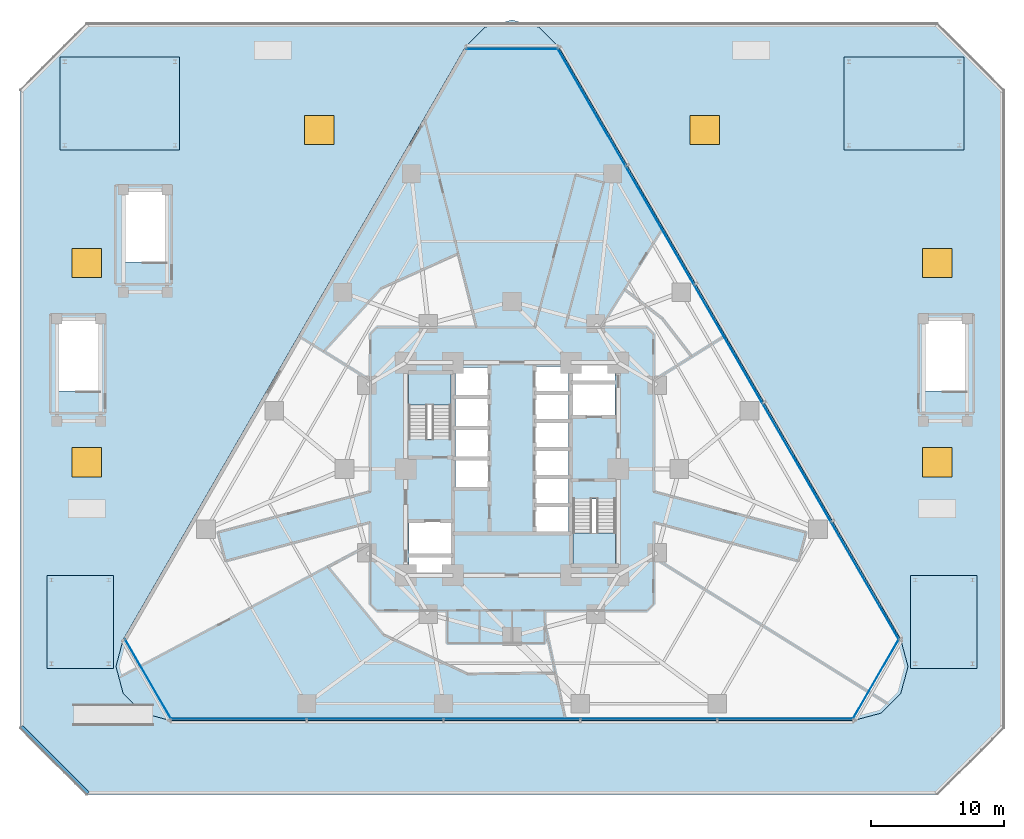
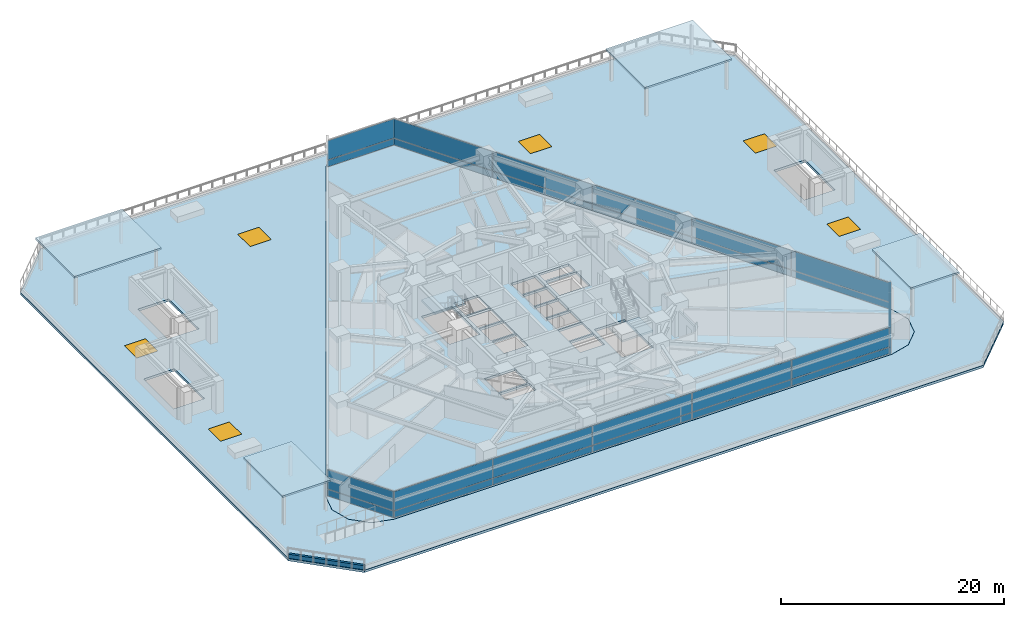
# One storey, part 14 of 23: 26 plates, 8 slabs, 6 windows, 1 wall, 6 openings, 7 elements without a shape of their own.
"""IFC4 building model written with IfcOpenShell, lengths in metres."""

import ifcopenshell
import ifcopenshell.guid

model = None  # the IFC model being written
_history = None  # IfcOwnerHistory: only IFC2X3 demands one
_inside = {}  # id of a spatial element -> (the spatial element, [elements in it])
_under = {}  # id of a project, library or spatial element -> (it, [spatial elements below it])
_declared = {}  # id of a project -> (the project, [libraries it declares])
_typed = {}  # id of a type object -> (the type object, [elements of that type])
_made_of = {}  # id of a material, layer set ... -> (it, [elements and type objects made of it])


def new_model(schema):
    """Start an empty IFC model of exactly this schema.

    Asked for "IFC4X3", IfcOpenShell would pick the latest addendum, in which some entities
    have other attributes; the version numbers below select the first issue.
    IFC2X3 requires an IfcOwnerHistory on every rooted entity: one is made here for all.
    """
    global model, _history
    if schema == "IFC4X3":
        model = ifcopenshell.file(schema_version=(4, 3, 0, 0))
    else:
        model = ifcopenshell.file(schema=schema)
    _inside.clear()
    _under.clear()
    _declared.clear()
    _typed.clear()
    _made_of.clear()
    _history = None
    if model.schema == "IFC2X3":
        org = make("IfcOrganization", Name="unknown")
        user = make(
            "IfcPersonAndOrganization",
            ThePerson=make("IfcPerson", FamilyName="unknown"),
            TheOrganization=org,
        )
        app = make(
            "IfcApplication",
            ApplicationDeveloper=org,
            Version="unknown",
            ApplicationFullName="unknown",
            ApplicationIdentifier="unknown",
        )
        _history = make(
            "IfcOwnerHistory",
            OwningUser=user,
            OwningApplication=app,
            ChangeAction="ADDED",
            CreationDate=0,
        )
    return model


def make(cls, **values):
    """One entity of the class cls with the attributes given. An attribute that is None is left unset."""
    return model.create_entity(
        cls, **{name: value for name, value in values.items() if value is not None}
    )


def rooted(cls, **values):
    """An entity with a GlobalId (a new one), such as an element, a storey or a relation."""
    return make(cls, GlobalId=ifcopenshell.guid.new(), OwnerHistory=_history, **values)


def si_unit(unit_type, name, prefix=None):
    """IfcSIUnit, for example si_unit("LENGTHUNIT", "METRE", prefix="MILLI")."""
    return make("IfcSIUnit", UnitType=unit_type, Prefix=prefix, Name=name)


def assignment(units):
    """IfcUnitAssignment: the units of a project."""
    return None if units is None else make("IfcUnitAssignment", Units=units)


def point(xyz):
    """IfcCartesianPoint."""
    return None if xyz is None else make("IfcCartesianPoint", Coordinates=xyz)


def direction(xyz):
    """IfcDirection."""
    return None if xyz is None else make("IfcDirection", DirectionRatios=xyz)


def frame(location, z_axis=None, x_axis=None):
    """IfcAxis2Placement3D, a coordinate frame: its origin and axes. An axis left out is left unset."""
    return make(
        "IfcAxis2Placement3D",
        Location=point(location),
        Axis=direction(z_axis),
        RefDirection=direction(x_axis),
    )


def frame_2d(location, x_axis=None):
    """IfcAxis2Placement2D, a coordinate frame in the plane: its origin and x axis."""
    return make(
        "IfcAxis2Placement2D", Location=point(location), RefDirection=direction(x_axis)
    )


def origin():
    """The frame at (0, 0, 0) with its axes left unset."""
    return frame((0.0, 0.0, 0.0))


def origin_2d():
    """The frame at (0, 0) in the plane with its x axis left unset."""
    return frame_2d((0.0, 0.0))


def place(relative_to, where):
    """IfcLocalPlacement: puts the frame where relative to a parent placement (None: the world)."""
    return make(
        "IfcLocalPlacement", PlacementRelTo=relative_to, RelativePlacement=where
    )


def context(
    kind, dimensions, precision=None, world=None, true_north=None, identifier=None
):
    """IfcGeometricRepresentationContext, for example the 3D "Model" context."""
    return make(
        "IfcGeometricRepresentationContext",
        ContextIdentifier=identifier,
        ContextType=kind,
        CoordinateSpaceDimension=dimensions,
        Precision=precision,
        WorldCoordinateSystem=world,
        TrueNorth=true_north,
    )


def subcontext(parent, identifier, kind, view, scale=None):
    """IfcGeometricRepresentationSubContext, for example "Body" below "Model"."""
    return make(
        "IfcGeometricRepresentationSubContext",
        ContextIdentifier=identifier,
        ContextType=kind,
        ParentContext=parent,
        TargetScale=scale,
        TargetView=view,
    )


def project(units=None, contexts=None):
    """IfcProject with its units and contexts."""
    return rooted(
        "IfcProject",
        Name="project",
        RepresentationContexts=contexts,
        UnitsInContext=assignment(units),
    )


def spatial(cls, under=None, at=None, **own):
    """A site, building, storey or space (cls), placed at a placement, below another one or the project."""
    s = rooted(cls, ObjectPlacement=at, **own)
    if under is not None:
        _under.setdefault(under.id(), (under, []))[1].append(s)
    return s


def polyline(points):
    """IfcPolyline through the points."""
    return make("IfcPolyline", Points=[point(p) for p in points])


def profile(cls, at=None, kind="AREA", **sizes):
    """A parametric profile (cls). Its sizes go by their IFC names, for example OverallWidth=200.0."""
    return make(cls, ProfileType=kind, Position=at, **sizes)


def rectangle(**sizes):
    """IfcRectangleProfileDef."""
    return profile("IfcRectangleProfileDef", **sizes)


def outline(outer, holes=None, kind="AREA"):
    """IfcArbitraryClosedProfileDef: a profile drawn as a closed curve; with holes, ...WithVoids."""
    if holes is None:
        return make("IfcArbitraryClosedProfileDef", ProfileType=kind, OuterCurve=outer)
    return make(
        "IfcArbitraryProfileDefWithVoids",
        ProfileType=kind,
        OuterCurve=outer,
        InnerCurves=holes,
    )


def extrude(swept, where, along, depth):
    """IfcExtrudedAreaSolid: the profile swept, set in the frame where, extruded along a direction by depth."""
    return make(
        "IfcExtrudedAreaSolid",
        SweptArea=swept,
        Position=where,
        ExtrudedDirection=direction(along),
        Depth=depth,
    )


def shape(context_of_items, identifier, shape_type, items):
    """IfcShapeRepresentation: the items that make up one representation, for example the "Body"."""
    return make(
        "IfcShapeRepresentation",
        ContextOfItems=context_of_items,
        RepresentationIdentifier=identifier,
        RepresentationType=shape_type,
        Items=items,
    )


def material(Name=None, Category=None):
    """IfcMaterial."""
    return make("IfcMaterial", Name=Name, Category=Category)


def layer(
    of_material, thickness, ventilated=None, Name=None, Category=None, Priority=None
):
    """IfcMaterialLayer: one layer of a wall or slab, of a material (None: an air gap)."""
    return make(
        "IfcMaterialLayer",
        Material=of_material,
        LayerThickness=thickness,
        IsVentilated=ventilated,
        Name=Name,
        Category=Category,
        Priority=Priority,
    )


def layer_set(layers, Name=None):
    """IfcMaterialLayerSet."""
    return make("IfcMaterialLayerSet", MaterialLayers=layers, LayerSetName=Name)


def made_of(thing, what):
    """Note that an element or type object is made of a material, layer set ...; save() writes the relation."""
    if what is not None:
        _made_of.setdefault(what.id(), (what, []))[1].append(thing)
    return thing


def type_object(cls, material=None, **own):
    """A type object (cls), such as IfcWallType, which elements share."""
    return made_of(rooted(cls, **own), material)


def element(
    cls,
    number,
    at=None,
    inside=None,
    cuts=None,
    type_object=None,
    material=None,
    context=None,
    identifier="Body",
    shape_type=None,
    held_by="IfcProductDefinitionShape",
    body=None,
    shapes=None,
    **own,
):
    """One element of the class cls, such as IfcWall. Its Tag is "e" and its number.

    at: its placement. inside: the storey or other place that contains it. cuts: it is an
    opening in that element (IfcRelVoidsElement). A single representation is given by context,
    identifier, shape_type and body (its items); several are given by shapes. held_by: the class
    of the entity that holds the representations. save() writes the other relations.
    """
    e = rooted(cls, Tag="e%d" % number, ObjectPlacement=at, **own)
    if body is not None:
        shapes = [shape(context, identifier, shape_type, body)]
    if shapes is not None:
        e.Representation = make(held_by, Representations=shapes)
    if inside is not None:
        _inside.setdefault(inside.id(), (inside, []))[1].append(e)
    if cuts is not None:
        rooted(
            "IfcRelVoidsElement", RelatingBuildingElement=cuts, RelatedOpeningElement=e
        )
    if type_object is not None:
        _typed.setdefault(type_object.id(), (type_object, []))[1].append(e)
    return made_of(e, material)


def fill(opening, filler):
    """IfcRelFillsElement: the door or window that sits in an opening."""
    return rooted(
        "IfcRelFillsElement",
        RelatingOpeningElement=opening,
        RelatedBuildingElement=filler,
    )


def aggregate(whole, parts):
    """IfcRelAggregates: a whole, such as a stair, and the parts it consists of."""
    return rooted("IfcRelAggregates", RelatingObject=whole, RelatedObjects=parts)


def save(model, path):
    """Write the relations noted so far, then the file.

    IfcRelAggregates (storeys below a building ...), IfcRelContainedInSpatialStructure (elements
    in a storey), IfcRelDefinesByType, IfcRelAssociatesMaterial and IfcRelDeclares: one each for
    every whole, place, type object, material and project.
    """
    for whole, parts in _under.values():
        aggregate(whole, parts)
    for where, things in _inside.values():
        rooted(
            "IfcRelContainedInSpatialStructure",
            RelatedElements=things,
            RelatingStructure=where,
        )
    for kind, things in _typed.values():
        rooted("IfcRelDefinesByType", RelatedObjects=things, RelatingType=kind)
    for what, things in _made_of.values():
        rooted("IfcRelAssociatesMaterial", RelatedObjects=things, RelatingMaterial=what)
    for by, libraries in _declared.values():
        rooted("IfcRelDeclares", RelatingContext=by, RelatedDefinitions=libraries)
    model.write(path)


model = new_model("IFC4")

# Units and contexts
model_context = context("Model", 3, precision=1e-05, world=origin(), true_north=direction((0.0, 1.0)))
body_context = subcontext(model_context, "Body", "Model", "MODEL_VIEW")
ifc_project = project(units=[si_unit("LENGTHUNIT", "METRE"), si_unit("AREAUNIT", "SQUARE_METRE"), si_unit("VOLUMEUNIT", "CUBIC_METRE"), si_unit("PLANEANGLEUNIT", "RADIAN"), si_unit("MASSUNIT", "GRAM", prefix="KILO")], contexts=[model_context])

# Site, building, storey
site_placement = place(None, origin())
site = spatial("IfcSite", under=ifc_project, at=site_placement, CompositionType="ELEMENT")
building_placement = place(site_placement, origin())
building = spatial("IfcBuilding", under=site, at=building_placement, Name="Terralouvre Media Tower", CompositionType="ELEMENT")
storey_placement = place(building_placement, frame((0.0, 0.0, 26.0)))
storey = spatial("IfcBuildingStorey", under=building, at=storey_placement, Name="L05", CompositionType="ELEMENT", Elevation=26.0)

# Slabs
ifc_material_1 = material(Name="Extruded terracotta baguette sunshade louvres", Category="masonry")
ifc_layer_1 = layer(ifc_material_1, 0.199951171875, Name="Podium Garden Pergola Pavilion Roof Slab RF-PAV1")
ifc_layer_set_1 = layer_set([ifc_layer_1], Name="Extruded terracotta baguette sunshade louvres")
slab_type_1 = type_object("IfcSlabType", Name="Podium Garden Pergola Pavilion Roof Slab RF-PAV1", PredefinedType="ROOF", material=ifc_layer_set_1)
slab_1_placement = place(storey_placement, frame((0.0, 0.0, 3.199951171875)))
element("IfcSlab", 1, at=slab_1_placement, inside=storey, type_object=slab_type_1, Name="West Garden Terracotta Pergola Roof", PredefinedType="ROOF", context=body_context, shape_type="SweptSolid", body=[
    extrude(outline(polyline([(-35.0, -15.0), (-30.0, -15.0), (-30.0, -8.0), (-35.0, -8.0), (-35.0, -15.0)])), origin(), (0.0, 0.0, 1.0), 0.199951171875),
])
slab_2_placement = place(storey_placement, frame((0.0, 0.0, 3.199951171875)))
element("IfcSlab", 2, at=slab_2_placement, inside=storey, type_object=slab_type_1, Name="East Garden Terracotta Pergola Roof", PredefinedType="ROOF", context=body_context, shape_type="SweptSolid", body=[
    extrude(outline(polyline([(30.0, -15.0), (35.0, -15.0), (35.0, -8.0), (30.0, -8.0), (30.0, -15.0)])), origin(), (0.0, 0.0, 1.0), 0.199951171875),
])
slab_3_placement = place(storey_placement, frame((0.0, 0.0, 3.199951171875)))
element("IfcSlab", 3, at=slab_3_placement, inside=storey, type_object=slab_type_1, Name="North-West Garden Pergola Roof", PredefinedType="ROOF", context=body_context, shape_type="SweptSolid", body=[
    extrude(outline(polyline([(-34.0, 24.0), (-25.0, 24.0), (-25.0, 31.0), (-34.0, 31.0), (-34.0, 24.0)])), origin(), (0.0, 0.0, 1.0), 0.199951171875),
])
slab_4_placement = place(storey_placement, frame((0.0, 0.0, 3.199951171875)))
element("IfcSlab", 4, at=slab_4_placement, inside=storey, type_object=slab_type_1, Name="North-East Garden Pergola Roof", PredefinedType="ROOF", context=body_context, shape_type="SweptSolid", body=[
    extrude(outline(polyline([(25.0, 24.0), (34.0, 24.0), (34.0, 31.0), (25.0, 31.0), (25.0, 24.0)])), origin(), (0.0, 0.0, 1.0), 0.199951171875),
])

# Slab, openings, windows
ifc_material_2 = material(Name="Concrete C45/55", Category="concrete")
ifc_layer_2 = layer(ifc_material_2, 0.260009765625, Name="Raised Podium and Conservatory Roof Garden Slab S-RFG260")
ifc_layer_set_2 = layer_set([ifc_layer_2], Name="Concrete C45/55")
slab_type_2 = type_object("IfcSlabType", Name="Raised Podium and Conservatory Roof Garden Slab S-RFG260", PredefinedType="ROOF", material=ifc_layer_set_2)
slab_5_placement = place(storey_placement, frame((0.0, 0.0, -0.260009765625)))
slab_5 = element("IfcSlab", 5, at=slab_5_placement, inside=storey, type_object=slab_type_2, Name="L05 Raised Public Tropical Garden Roof Slab", PredefinedType="ROOF", context=body_context, shape_type="SweptSolid", body=[
    extrude(outline(polyline([(37.0, -19.5), (37.0, 28.5), (32.0, 33.5), (1.06591796875, 33.5), (2.025634765625, 33.242919921875), (2.025634765625, 33.242919921875), (2.02587890625, 33.24267578125), (2.026123046875, 33.24267578125), (2.0263671875, 33.242431640625), (2.0263671875, 33.242431640625), (3.5087890625, 31.760009765625), (3.509033203125, 31.759765625), (3.509033203125, 31.759765625), (3.509033203125, 31.759521484375), (29.259033203125, -12.8408203125), (29.25927734375, -12.8408203125), (29.25927734375, -12.841064453125), (29.25927734375, -12.84130859375), (29.802001953125, -14.8662109375), (29.802001953125, -14.866455078125), (29.802001953125, -14.86669921875), (29.802001953125, -14.866943359375), (29.802001953125, -14.8671875), (29.802001953125, -14.8671875), (29.25927734375, -16.892333984375), (29.25927734375, -16.892578125), (29.25927734375, -16.892578125), (29.259033203125, -16.892822265625), (29.259033203125, -16.89306640625), (29.2587890625, -16.89306640625), (27.7763671875, -18.37548828125), (27.7763671875, -18.375732421875), (27.776123046875, -18.375732421875), (27.77587890625, -18.3759765625), (27.775634765625, -18.3759765625), (27.775634765625, -18.376220703125), (25.75048828125, -18.918701171875), (25.750244140625, -18.918701171875), (25.750244140625, -18.918701171875), (25.75, -18.918701171875), (-25.75, -18.918701171875), (-25.750244140625, -18.918701171875), (-25.750244140625, -18.918701171875), (-25.75048828125, -18.918701171875), (-27.775634765625, -18.376220703125), (-27.775634765625, -18.3759765625), (-27.77587890625, -18.3759765625), (-27.776123046875, -18.375732421875), (-27.7763671875, -18.375732421875), (-27.7763671875, -18.37548828125), (-29.2587890625, -16.89306640625), (-29.259033203125, -16.89306640625), (-29.259033203125, -16.892822265625), (-29.25927734375, -16.892578125), (-29.25927734375, -16.892578125), (-29.25927734375, -16.892333984375), (-29.802001953125, -14.8671875), (-29.802001953125, -14.8671875), (-29.802001953125, -14.866943359375), (-29.802001953125, -14.86669921875), (-29.802001953125, -14.866455078125), (-29.802001953125, -14.8662109375), (-29.25927734375, -12.84130859375), (-29.25927734375, -12.841064453125), (-29.25927734375, -12.8408203125), (-29.259033203125, -12.8408203125), (-3.509033203125, 31.759521484375), (-3.509033203125, 31.759765625), (-3.509033203125, 31.759765625), (-3.5087890625, 31.760009765625), (-2.0263671875, 33.242431640625), (-2.0263671875, 33.242431640625), (-2.026123046875, 33.24267578125), (-2.02587890625, 33.24267578125), (-2.025634765625, 33.242919921875), (-2.025634765625, 33.242919921875), (-1.06591796875, 33.5), (-32.0, 33.5), (-37.0, 28.5), (-37.0, -19.5), (-32.0, -24.5), (32.0, -24.5), (37.0, -19.5)]), holes=[polyline([(-34.199951171875, 11.25), (-31.0, 11.25), (-31.0, 5.875), (-34.199951171875, 5.875), (-34.199951171875, 11.25)]), polyline([(34.199951171875, 11.25), (34.199951171875, 5.875), (31.0, 5.875), (31.0, 11.25), (34.199951171875, 11.25)]), polyline([(-26.0, 15.574951171875), (-29.199951171875, 15.574951171875), (-29.199951171875, 20.949951171875), (-26.0, 20.949951171875), (-26.0, 15.574951171875)])]), origin(), (0.0, 0.0, 1.0), 0.260009765625),
])
opening_1_placement = place(slab_5_placement, frame((-32.0, 0.5, 0.0)))
opening_1 = element("IfcOpeningElement", 6, at=opening_1_placement, cuts=slab_5, Name="Opening SK-01", PredefinedType="OPENING", context=body_context, shape_type="SweptSolid", body=[
    extrude(rectangle(XDim=2.199951171875, YDim=2.199951171875, at=origin_2d()), origin(), (0.0, 0.0, 1.0), 0.260009765625),
])
opening_2_placement = place(slab_5_placement, frame((-32.0, 15.5, 0.0)))
opening_2 = element("IfcOpeningElement", 7, at=opening_2_placement, cuts=slab_5, Name="Opening SK-01", PredefinedType="OPENING", context=body_context, shape_type="SweptSolid", body=[
    extrude(rectangle(XDim=2.199951171875, YDim=2.199951171875, at=origin_2d()), origin(), (0.0, 0.0, 1.0), 0.260009765625),
])
opening_3_placement = place(slab_5_placement, frame((32.0, 0.5, 0.0)))
opening_3 = element("IfcOpeningElement", 8, at=opening_3_placement, cuts=slab_5, Name="Opening SK-01", PredefinedType="OPENING", context=body_context, shape_type="SweptSolid", body=[
    extrude(rectangle(XDim=2.199951171875, YDim=2.199951171875, at=origin_2d()), origin(), (0.0, 0.0, 1.0), 0.260009765625),
])
opening_4_placement = place(slab_5_placement, frame((32.0, 15.5, 0.0)))
opening_4 = element("IfcOpeningElement", 9, at=opening_4_placement, cuts=slab_5, Name="Opening SK-01", PredefinedType="OPENING", context=body_context, shape_type="SweptSolid", body=[
    extrude(rectangle(XDim=2.199951171875, YDim=2.199951171875, at=origin_2d()), origin(), (0.0, 0.0, 1.0), 0.260009765625),
])
opening_5_placement = place(slab_5_placement, frame((14.5, 25.5, 0.0)))
opening_5 = element("IfcOpeningElement", 10, at=opening_5_placement, cuts=slab_5, Name="Opening SK-01", PredefinedType="OPENING", context=body_context, shape_type="SweptSolid", body=[
    extrude(rectangle(XDim=2.199951171875, YDim=2.199951171875, at=origin_2d()), origin(), (0.0, 0.0, 1.0), 0.260009765625),
])
opening_6_placement = place(slab_5_placement, frame((-14.5, 25.5, 0.0)))
opening_6 = element("IfcOpeningElement", 11, at=opening_6_placement, cuts=slab_5, Name="Opening SK-01", PredefinedType="OPENING", context=body_context, shape_type="SweptSolid", body=[
    extrude(rectangle(XDim=2.199951171875, YDim=2.199951171875, at=origin_2d()), origin(), (0.0, 0.0, 1.0), 0.260009765625),
])
ifc_material_3 = material(Name="Low-iron laminated double glazing with solar-control coating", Category="glass")
window_type = type_object("IfcWindowType", Name="Podium Atrium Daylight Skylight SK-01", PartitioningType="SINGLE_PANEL", PredefinedType="SKYLIGHT", material=ifc_material_3)
window_1_placement = place(opening_1_placement, frame((0.0, 0.0, 0.2099609375)))
window_1 = element("IfcWindow", 12, at=window_1_placement, inside=storey, type_object=window_type, Name="Podium Garden Daylight Skylight 01", OverallHeight=2.199951171875, OverallWidth=2.199951171875, PartitioningType="SINGLE_PANEL", PredefinedType="SKYLIGHT", context=body_context, shape_type="SweptSolid", body=[
    extrude(rectangle(XDim=2.199951171875, YDim=2.199951171875, at=origin_2d()), origin(), (0.0, 0.0, 1.0), 0.050048828125),
])
fill(opening_1, window_1)
window_2_placement = place(opening_2_placement, frame((0.0, 0.0, 0.2099609375)))
window_2 = element("IfcWindow", 13, at=window_2_placement, inside=storey, type_object=window_type, Name="Podium Garden Daylight Skylight 02", OverallHeight=2.199951171875, OverallWidth=2.199951171875, PartitioningType="SINGLE_PANEL", PredefinedType="SKYLIGHT", context=body_context, shape_type="SweptSolid", body=[
    extrude(rectangle(XDim=2.199951171875, YDim=2.199951171875, at=origin_2d()), origin(), (0.0, 0.0, 1.0), 0.050048828125),
])
fill(opening_2, window_2)
window_3_placement = place(opening_3_placement, frame((0.0, 0.0, 0.2099609375)))
window_3 = element("IfcWindow", 14, at=window_3_placement, inside=storey, type_object=window_type, Name="Podium Garden Daylight Skylight 03", OverallHeight=2.199951171875, OverallWidth=2.199951171875, PartitioningType="SINGLE_PANEL", PredefinedType="SKYLIGHT", context=body_context, shape_type="SweptSolid", body=[
    extrude(rectangle(XDim=2.199951171875, YDim=2.199951171875, at=origin_2d()), origin(), (0.0, 0.0, 1.0), 0.050048828125),
])
fill(opening_3, window_3)
window_4_placement = place(opening_4_placement, frame((0.0, 0.0, 0.2099609375)))
window_4 = element("IfcWindow", 15, at=window_4_placement, inside=storey, type_object=window_type, Name="Podium Garden Daylight Skylight 04", OverallHeight=2.199951171875, OverallWidth=2.199951171875, PartitioningType="SINGLE_PANEL", PredefinedType="SKYLIGHT", context=body_context, shape_type="SweptSolid", body=[
    extrude(rectangle(XDim=2.199951171875, YDim=2.199951171875, at=origin_2d()), origin(), (0.0, 0.0, 1.0), 0.050048828125),
])
fill(opening_4, window_4)
window_5_placement = place(opening_5_placement, frame((0.0, 0.0, 0.2099609375)))
window_5 = element("IfcWindow", 16, at=window_5_placement, inside=storey, type_object=window_type, Name="Podium Garden Daylight Skylight 05", OverallHeight=2.199951171875, OverallWidth=2.199951171875, PartitioningType="SINGLE_PANEL", PredefinedType="SKYLIGHT", context=body_context, shape_type="SweptSolid", body=[
    extrude(rectangle(XDim=2.199951171875, YDim=2.199951171875, at=origin_2d()), origin(), (0.0, 0.0, 1.0), 0.050048828125),
])
fill(opening_5, window_5)
window_6_placement = place(opening_6_placement, frame((0.0, 0.0, 0.2099609375)))
window_6 = element("IfcWindow", 17, at=window_6_placement, inside=storey, type_object=window_type, Name="Podium Garden Daylight Skylight 06", OverallHeight=2.199951171875, OverallWidth=2.199951171875, PartitioningType="SINGLE_PANEL", PredefinedType="SKYLIGHT", context=body_context, shape_type="SweptSolid", body=[
    extrude(rectangle(XDim=2.199951171875, YDim=2.199951171875, at=origin_2d()), origin(), (0.0, 0.0, 1.0), 0.050048828125),
])
fill(opening_6, window_6)

# Stair, slab
ifc_material_4 = material(Name="Concrete C45/55", Category="concrete")
stair_type_1 = type_object("IfcStairType", Name="Dogleg Stair Assembly ST-01", PredefinedType="HALF_TURN_STAIR", material=ifc_material_4)
stair_1_placement = place(storey_placement, origin())
stair_1 = element("IfcStair", 18, at=stair_1_placement, inside=storey, type_object=stair_type_1, Name="L05 Core Pressurised Exit Stair ST-01", PredefinedType="HALF_TURN_STAIR")
ifc_material_5 = material(Name="Concrete C45/55", Category="concrete")
ifc_layer_3 = layer(ifc_material_5, 0.199951171875, Name="Reinforced Concrete Stair Half-Landing SL-LD1")
ifc_layer_set_3 = layer_set([ifc_layer_3], Name="Concrete C45/55")
slab_type_3 = type_object("IfcSlabType", Name="Reinforced Concrete Stair Half-Landing SL-LD1", PredefinedType="LANDING", material=ifc_layer_set_3)
slab_6_placement = place(storey_placement, frame((0.0, 0.0, 1.64990234375)))
slab_6 = element("IfcSlab", 19, at=slab_6_placement, type_object=slab_type_3, Name="ST-01 landing 1", PredefinedType="LANDING", context=body_context, shape_type="SweptSolid", body=[
    extrude(outline(polyline([(-4.60009765625, 4.820068359375), (-4.60009765625, 7.260009765625), (-7.780029296875, 7.260009765625), (-7.780029296875, 4.820068359375), (-4.60009765625, 4.820068359375)])), origin(), (0.0, 0.0, 1.0), 0.2001953125),
])
aggregate(stair_1, [slab_6])

ifc_material_6 = material(Name="Concrete C45/55", Category="concrete")
stair_type_2 = type_object("IfcStairType", Name="Dogleg Stair Assembly ST-02", PredefinedType="HALF_TURN_STAIR", material=ifc_material_6)
stair_2_placement = place(storey_placement, origin())
stair_2 = element("IfcStair", 20, at=stair_2_placement, inside=storey, type_object=stair_type_2, Name="L05 Core Pressurised Exit Stair ST-02", PredefinedType="HALF_TURN_STAIR")
slab_7_placement = place(storey_placement, frame((0.0, 0.0, 1.64990234375)))
slab_7 = element("IfcSlab", 21, at=slab_7_placement, type_object=slab_type_3, Name="ST-02 landing 1", PredefinedType="LANDING", context=body_context, shape_type="SweptSolid", body=[
    extrude(outline(polyline([(4.60009765625, -4.820068359375), (4.60009765625, -7.260009765625), (7.780029296875, -7.260009765625), (7.780029296875, -4.820068359375), (4.60009765625, -4.820068359375)])), origin(), (0.0, 0.0, 1.0), 0.2001953125),
])
aggregate(stair_2, [slab_7])

# Curtain wall, plates
ifc_material_7 = material(Name="Low-iron laminated double glazing with solar-control coating", Category="glass")
ifc_layer_4 = layer(ifc_material_7, 0.1650390625, Name="Rounded Wind-Corner Curved Glazing CW-04")
ifc_layer_set_4 = layer_set([ifc_layer_4], Name="Low-iron laminated double glazing with solar-control coating")
curtain_wall_type_1 = type_object("IfcCurtainWallType", Name="Rounded Wind-Corner Curved Glazing CW-04", PredefinedType="NOTDEFINED", material=ifc_layer_set_4)
curtain_wall_1_placement = place(storey_placement, origin())
curtain_wall_1 = element("IfcCurtainWall", 22, at=curtain_wall_1_placement, inside=storey, type_object=curtain_wall_type_1, Name="L05 Rounded Wind-Corner Curtain Wall C0", PredefinedType="NOTDEFINED")
ifc_material_8 = material(Name="Low-iron laminated double glazing with solar-control coating", Category="glass")
ifc_layer_5 = layer(ifc_material_8, 0.0400390625, Name="Rounded Corner Laminated Vision Panel CWP-03")
ifc_layer_set_5 = layer_set([ifc_layer_5], Name="Low-iron laminated double glazing with solar-control coating")
plate_type_1 = type_object("IfcPlateType", Name="Rounded Corner Laminated Vision Panel CWP-03", PredefinedType="CURTAIN_PANEL", material=ifc_layer_set_5)
plate_1_placement = place(storey_placement, frame((-27.382568359375, -15.809326171875, 0.074951171875), z_axis=(0.0, 0.0, 1.0), x_axis=(0.499999691503, -0.866025581895, 0.0)))
plate_1 = element("IfcPlate", 23, at=plate_1_placement, type_object=plate_type_1, Name="CW-04 panel 1.1", PredefinedType="CURTAIN_PANEL", context=body_context, shape_type="SweptSolid", body=[
    extrude(rectangle(XDim=6.86474609375, YDim=0.035888671875, at=origin_2d()), origin(), (0.0, 0.0, 1.0), 0.6875),
])
plate_2_placement = place(storey_placement, frame((-27.382568359375, -15.809326171875, 0.837646484375), z_axis=(0.0, 0.0, 1.0), x_axis=(0.499999691503, -0.866025581895, 0.0)))
plate_2 = element("IfcPlate", 24, at=plate_2_placement, type_object=plate_type_1, Name="CW-04 panel 1.2", PredefinedType="CURTAIN_PANEL", context=body_context, shape_type="SweptSolid", body=[
    extrude(rectangle(XDim=6.86474609375, YDim=0.035888671875, at=origin_2d()), origin(), (0.0, 0.0, 1.0), 2.08740234375),
])
aggregate(curtain_wall_1, [plate_1, plate_2])

curtain_wall_2_placement = place(storey_placement, origin())
curtain_wall_2 = element("IfcCurtainWall", 25, at=curtain_wall_2_placement, inside=storey, type_object=curtain_wall_type_1, Name="L05 Rounded Wind-Corner Curtain Wall C1", PredefinedType="NOTDEFINED")
plate_3_placement = place(storey_placement, frame((27.382568359375, -15.809326171875, 0.074951171875), z_axis=(0.0, 0.0, 1.0), x_axis=(0.499999691503, 0.866025581895, 0.0)))
plate_3 = element("IfcPlate", 26, at=plate_3_placement, type_object=plate_type_1, Name="CW-04 panel 1.1", PredefinedType="CURTAIN_PANEL", context=body_context, shape_type="SweptSolid", body=[
    extrude(rectangle(XDim=6.86474609375, YDim=0.035888671875, at=origin_2d()), origin(), (0.0, 0.0, 1.0), 0.6875),
])
plate_4_placement = place(storey_placement, frame((27.382568359375, -15.809326171875, 0.837646484375), z_axis=(0.0, 0.0, 1.0), x_axis=(0.499999691503, 0.866025581895, 0.0)))
plate_4 = element("IfcPlate", 27, at=plate_4_placement, type_object=plate_type_1, Name="CW-04 panel 1.2", PredefinedType="CURTAIN_PANEL", context=body_context, shape_type="SweptSolid", body=[
    extrude(rectangle(XDim=6.86474609375, YDim=0.035888671875, at=origin_2d()), origin(), (0.0, 0.0, 1.0), 2.08740234375),
])
aggregate(curtain_wall_2, [plate_3, plate_4])

curtain_wall_3_placement = place(storey_placement, origin())
curtain_wall_3 = element("IfcCurtainWall", 28, at=curtain_wall_3_placement, inside=storey, type_object=curtain_wall_type_1, Name="L05 Rounded Wind-Corner Curtain Wall C2", PredefinedType="NOTDEFINED")
plate_5_placement = place(storey_placement, frame((0.0, 31.61865234375, 0.074951171875), z_axis=(0.0, 0.0, 1.0), x_axis=(-1.0, 0.0, 0.0)))
plate_5 = element("IfcPlate", 29, at=plate_5_placement, type_object=plate_type_1, Name="CW-04 panel 1.1", PredefinedType="CURTAIN_PANEL", context=body_context, shape_type="SweptSolid", body=[
    extrude(rectangle(XDim=6.86474609375, YDim=0.035888671875, at=origin_2d()), origin(), (0.0, 0.0, 1.0), 0.6875),
])
plate_6_placement = place(storey_placement, frame((0.0, 31.61865234375, 0.837646484375), z_axis=(0.0, 0.0, 1.0), x_axis=(-1.0, 0.0, 0.0)))
plate_6 = element("IfcPlate", 30, at=plate_6_placement, type_object=plate_type_1, Name="CW-04 panel 1.2", PredefinedType="CURTAIN_PANEL", context=body_context, shape_type="SweptSolid", body=[
    extrude(rectangle(XDim=6.86474609375, YDim=0.035888671875, at=origin_2d()), origin(), (0.0, 0.0, 1.0), 2.08740234375),
])
aggregate(curtain_wall_3, [plate_5, plate_6])

# Slab
ifc_material_9 = material(Name="Concrete C45/55", Category="concrete")
ifc_layer_6 = layer(ifc_material_9, 0.260009765625, Name="Transfer Indoor Floor Slab S-TRN260")
ifc_layer_set_6 = layer_set([ifc_layer_6], Name="Concrete C45/55")
slab_type_4 = type_object("IfcSlabType", Name="Transfer Indoor Floor Slab S-TRN260", PredefinedType="FLOOR", material=ifc_layer_set_6)
slab_8_placement = place(storey_placement, frame((0.0, 0.0, -0.260009765625)))
element("IfcSlab", 31, at=slab_8_placement, inside=storey, type_object=slab_type_4, Name="L05 Structural Floor Slab", PredefinedType="FLOOR", context=body_context, shape_type="SweptSolid", body=[
    extrude(outline(polyline([(-29.25732421875, -12.841796875), (-29.800048828125, -14.86669921875), (-29.25732421875, -16.891845703125), (-27.77490234375, -18.374267578125), (-25.75, -18.916748046875), (25.75, -18.916748046875), (27.77490234375, -18.374267578125), (29.25732421875, -16.891845703125), (29.800048828125, -14.86669921875), (29.25732421875, -12.841796875), (3.50732421875, 31.758544921875), (2.02490234375, 33.240966796875), (0.0, 33.783447265625), (-2.02490234375, 33.240966796875), (-3.50732421875, 31.758544921875), (-29.25732421875, -12.841796875)]), holes=[polyline([(-4.60009765625, -7.800048828125), (-7.75, -7.800048828125), (-7.75, -6.60009765625), (-4.60009765625, -6.60009765625), (-4.60009765625, -7.800048828125)]), polyline([(-4.60009765625, -6.39990234375), (-7.75, -6.39990234375), (-7.75, -3.949951171875), (-4.60009765625, -3.949951171875), (-4.60009765625, -6.39990234375)]), polyline([(-1.75, -1.419921875), (-4.25, -1.419921875), (-4.25, 0.719970703125), (-1.75, 0.719970703125), (-1.75, -1.419921875)]), polyline([(-1.75, 0.8798828125), (-4.25, 0.8798828125), (-4.25, 3.02001953125), (-1.75, 3.02001953125), (-1.75, 0.8798828125)]), polyline([(4.25, 1.580078125), (1.75, 1.580078125), (1.75, 3.52001953125), (4.25, 3.52001953125), (4.25, 1.580078125)]), polyline([(-1.75, 3.179931640625), (-4.25, 3.179931640625), (-4.25, 5.320068359375), (-1.75, 5.320068359375), (-1.75, 3.179931640625)]), polyline([(-4.60009765625, 2.2451171875), (-7.780029296875, 2.2451171875), (-7.780029296875, 7.260009765625), (-4.60009765625, 7.260009765625), (-4.60009765625, 2.2451171875)]), polyline([(-1.75, 5.47998046875), (-4.25, 5.47998046875), (-4.25, 7.6201171875), (-1.75, 7.6201171875), (-1.75, 5.47998046875)]), polyline([(4.60009765625, -2.2451171875), (7.780029296875, -2.2451171875), (7.780029296875, -7.260009765625), (4.60009765625, -7.260009765625), (4.60009765625, -2.2451171875)]), polyline([(4.25, -4.719970703125), (1.75, -4.719970703125), (1.75, -2.780029296875), (4.25, -2.780029296875), (4.25, -4.719970703125)]), polyline([(4.25, -2.6201171875), (1.75, -2.6201171875), (1.75, -0.679931640625), (4.25, -0.679931640625), (4.25, -2.6201171875)]), polyline([(4.25, -0.52001953125), (1.75, -0.52001953125), (1.75, 1.419921875), (4.25, 1.419921875), (4.25, -0.52001953125)]), polyline([(4.25, 3.679931640625), (1.75, 3.679931640625), (1.75, 5.6201171875), (4.25, 5.6201171875), (4.25, 3.679931640625)]), polyline([(7.75, 3.949951171875), (4.60009765625, 3.949951171875), (4.60009765625, 6.39990234375), (7.75, 6.39990234375), (7.75, 3.949951171875)]), polyline([(4.25, 5.780029296875), (1.75, 5.780029296875), (1.75, 7.719970703125), (4.25, 7.719970703125), (4.25, 5.780029296875)]), polyline([(7.75, 6.60009765625), (4.60009765625, 6.60009765625), (4.60009765625, 7.800048828125), (7.75, 7.800048828125), (7.75, 6.60009765625)])]), origin(), (0.0, 0.0, 1.0), 0.260009765625),
])

# Curtain wall, plates
ifc_material_10 = material(Name="Low-iron laminated double glazing with solar-control coating", Category="glass")
ifc_layer_7 = layer(ifc_material_10, 0.1650390625, Name="Lower Media Tower Unitised Curtain Wall CW-02")
ifc_layer_set_7 = layer_set([ifc_layer_7], Name="Low-iron laminated double glazing with solar-control coating")
curtain_wall_type_2 = type_object("IfcCurtainWallType", Name="Lower Media Tower Unitised Curtain Wall CW-02", PredefinedType="NOTDEFINED", material=ifc_layer_set_7)
curtain_wall_4_placement = place(storey_placement, origin())
curtain_wall_4 = element("IfcCurtainWall", 32, at=curtain_wall_4_placement, inside=storey, type_object=curtain_wall_type_2, Name="L05 Facade Curtain Wall F0", PredefinedType="NOTDEFINED")
ifc_material_11 = material(Name="Low-iron laminated double glazing with solar-control coating", Category="glass")
ifc_layer_8 = layer(ifc_material_11, 0.035888671875, Name="Vision Double-Glazed Unit CWP-01")
ifc_layer_set_8 = layer_set([ifc_layer_8], Name="Low-iron laminated double glazing with solar-control coating")
plate_type_2 = type_object("IfcPlateType", Name="Vision Double-Glazed Unit CWP-01", PredefinedType="CURTAIN_PANEL", material=ifc_layer_set_8)
plate_7_placement = place(storey_placement, frame((-20.581298828125, -18.796875, 0.074951171875), z_axis=(0.0, 0.0, 1.0), x_axis=(1.0, 0.0, 0.0)))
plate_7 = element("IfcPlate", 33, at=plate_7_placement, type_object=plate_type_2, Name="CW-02 panel 1.1", PredefinedType="CURTAIN_PANEL", context=body_context, shape_type="SweptSolid", body=[
    extrude(rectangle(XDim=10.1875, YDim=0.035888671875, at=origin_2d()), origin(), (0.0, 0.0, 1.0), 0.6875),
])
plate_8_placement = place(storey_placement, frame((-20.581298828125, -18.796875, 0.837646484375), z_axis=(0.0, 0.0, 1.0), x_axis=(1.0, 0.0, 0.0)))
plate_8 = element("IfcPlate", 34, at=plate_8_placement, type_object=plate_type_2, Name="CW-02 panel 1.2", PredefinedType="CURTAIN_PANEL", context=body_context, shape_type="SweptSolid", body=[
    extrude(rectangle(XDim=10.1875, YDim=0.035888671875, at=origin_2d()), origin(), (0.0, 0.0, 1.0), 2.08740234375),
])
plate_9_placement = place(storey_placement, frame((-10.300048828125, -18.796875, 0.074951171875), z_axis=(0.0, 0.0, 1.0), x_axis=(1.0, 0.0, 0.0)))
plate_9 = element("IfcPlate", 35, at=plate_9_placement, type_object=plate_type_2, Name="CW-02 panel 2.1", PredefinedType="CURTAIN_PANEL", context=body_context, shape_type="SweptSolid", body=[
    extrude(rectangle(XDim=10.22509765625, YDim=0.035888671875, at=origin_2d()), origin(), (0.0, 0.0, 1.0), 0.6875),
])
plate_10_placement = place(storey_placement, frame((-10.300048828125, -18.796875, 0.837646484375), z_axis=(0.0, 0.0, 1.0), x_axis=(1.0, 0.0, 0.0)))
plate_10 = element("IfcPlate", 36, at=plate_10_placement, type_object=plate_type_2, Name="CW-02 panel 2.2", PredefinedType="CURTAIN_PANEL", context=body_context, shape_type="SweptSolid", body=[
    extrude(rectangle(XDim=10.22509765625, YDim=0.035888671875, at=origin_2d()), origin(), (0.0, 0.0, 1.0), 2.08740234375),
])
plate_11_placement = place(storey_placement, frame((0.0, -18.796875, 0.074951171875), z_axis=(0.0, 0.0, 1.0), x_axis=(1.0, 0.0, 0.0)))
plate_11 = element("IfcPlate", 37, at=plate_11_placement, type_object=plate_type_2, Name="CW-02 panel 3.1", PredefinedType="CURTAIN_PANEL", context=body_context, shape_type="SweptSolid", body=[
    extrude(rectangle(XDim=10.22509765625, YDim=0.035888671875, at=origin_2d()), origin(), (0.0, 0.0, 1.0), 0.6875),
])
plate_12_placement = place(storey_placement, frame((0.0, -18.796875, 0.837646484375), z_axis=(0.0, 0.0, 1.0), x_axis=(1.0, 0.0, 0.0)))
plate_12 = element("IfcPlate", 38, at=plate_12_placement, type_object=plate_type_2, Name="CW-02 panel 3.2", PredefinedType="CURTAIN_PANEL", context=body_context, shape_type="SweptSolid", body=[
    extrude(rectangle(XDim=10.22509765625, YDim=0.035888671875, at=origin_2d()), origin(), (0.0, 0.0, 1.0), 2.08740234375),
])
plate_13_placement = place(storey_placement, frame((10.300048828125, -18.796875, 0.074951171875), z_axis=(0.0, 0.0, 1.0), x_axis=(1.0, 0.0, 0.0)))
plate_13 = element("IfcPlate", 39, at=plate_13_placement, type_object=plate_type_2, Name="CW-02 panel 4.1", PredefinedType="CURTAIN_PANEL", context=body_context, shape_type="SweptSolid", body=[
    extrude(rectangle(XDim=10.22509765625, YDim=0.035888671875, at=origin_2d()), origin(), (0.0, 0.0, 1.0), 0.6875),
])
plate_14_placement = place(storey_placement, frame((10.300048828125, -18.796875, 0.837646484375), z_axis=(0.0, 0.0, 1.0), x_axis=(1.0, 0.0, 0.0)))
plate_14 = element("IfcPlate", 40, at=plate_14_placement, type_object=plate_type_2, Name="CW-02 panel 4.2", PredefinedType="CURTAIN_PANEL", context=body_context, shape_type="SweptSolid", body=[
    extrude(rectangle(XDim=10.22509765625, YDim=0.035888671875, at=origin_2d()), origin(), (0.0, 0.0, 1.0), 2.08740234375),
])
plate_15_placement = place(storey_placement, frame((20.581298828125, -18.796875, 0.074951171875), z_axis=(0.0, 0.0, 1.0), x_axis=(1.0, 0.0, 0.0)))
plate_15 = element("IfcPlate", 41, at=plate_15_placement, type_object=plate_type_2, Name="CW-02 panel 5.1", PredefinedType="CURTAIN_PANEL", context=body_context, shape_type="SweptSolid", body=[
    extrude(rectangle(XDim=10.1875, YDim=0.035888671875, at=origin_2d()), origin(), (0.0, 0.0, 1.0), 0.6875),
])
plate_16_placement = place(storey_placement, frame((20.581298828125, -18.796875, 0.837646484375), z_axis=(0.0, 0.0, 1.0), x_axis=(1.0, 0.0, 0.0)))
plate_16 = element("IfcPlate", 42, at=plate_16_placement, type_object=plate_type_2, Name="CW-02 panel 5.2", PredefinedType="CURTAIN_PANEL", context=body_context, shape_type="SweptSolid", body=[
    extrude(rectangle(XDim=10.1875, YDim=0.035888671875, at=origin_2d()), origin(), (0.0, 0.0, 1.0), 2.08740234375),
])
aggregate(curtain_wall_4, [plate_7, plate_8, plate_9, plate_10, plate_11, plate_12, plate_13, plate_14, plate_15, plate_16])

curtain_wall_5_placement = place(storey_placement, origin())
curtain_wall_5 = element("IfcCurtainWall", 43, at=curtain_wall_5_placement, inside=storey, type_object=curtain_wall_type_2, Name="L05 Facade Curtain Wall F1", PredefinedType="NOTDEFINED")
plate_17_placement = place(storey_placement, frame((26.569091796875, -8.425537109375, 0.074951171875), z_axis=(0.0, 0.0, 1.0), x_axis=(-0.499999985671, 0.866025412057, 0.0)))
plate_17 = element("IfcPlate", 44, at=plate_17_placement, type_object=plate_type_2, Name="CW-02 panel 1.1", PredefinedType="CURTAIN_PANEL", context=body_context, shape_type="SweptSolid", body=[
    extrude(rectangle(XDim=10.1875, YDim=0.035888671875, at=origin_2d()), origin(), (0.0, 0.0, 1.0), 0.6875),
])
plate_18_placement = place(storey_placement, frame((26.569091796875, -8.425537109375, 0.837646484375), z_axis=(0.0, 0.0, 1.0), x_axis=(-0.499999985671, 0.866025412057, 0.0)))
plate_18 = element("IfcPlate", 45, at=plate_18_placement, type_object=plate_type_2, Name="CW-02 panel 1.2", PredefinedType="CURTAIN_PANEL", context=body_context, shape_type="SweptSolid", body=[
    extrude(rectangle(XDim=10.1875, YDim=0.035888671875, at=origin_2d()), origin(), (0.0, 0.0, 1.0), 2.08740234375),
])
plate_19_placement = place(storey_placement, frame((21.428466796875, 0.478271484375, 0.074951171875), z_axis=(0.0, 0.0, 1.0), x_axis=(-0.499999985671, 0.866025412057, 0.0)))
plate_19 = element("IfcPlate", 46, at=plate_19_placement, type_object=plate_type_2, Name="CW-02 panel 2.1", PredefinedType="CURTAIN_PANEL", context=body_context, shape_type="SweptSolid", body=[
    extrude(rectangle(XDim=10.22509765625, YDim=0.035888671875, at=origin_2d()), origin(), (0.0, 0.0, 1.0), 0.6875),
])
plate_20_placement = place(storey_placement, frame((21.428466796875, 0.478271484375, 0.837646484375), z_axis=(0.0, 0.0, 1.0), x_axis=(-0.499999985671, 0.866025412057, 0.0)))
plate_20 = element("IfcPlate", 47, at=plate_20_placement, type_object=plate_type_2, Name="CW-02 panel 2.2", PredefinedType="CURTAIN_PANEL", context=body_context, shape_type="SweptSolid", body=[
    extrude(rectangle(XDim=10.22509765625, YDim=0.035888671875, at=origin_2d()), origin(), (0.0, 0.0, 1.0), 2.08740234375),
])
plate_21_placement = place(storey_placement, frame((16.278564453125, 9.3984375, 0.074951171875), z_axis=(0.0, 0.0, 1.0), x_axis=(-0.499999985671, 0.866025412057, 0.0)))
plate_21 = element("IfcPlate", 48, at=plate_21_placement, type_object=plate_type_2, Name="CW-02 panel 3.1", PredefinedType="CURTAIN_PANEL", context=body_context, shape_type="SweptSolid", body=[
    extrude(rectangle(XDim=10.22509765625, YDim=0.035888671875, at=origin_2d()), origin(), (0.0, 0.0, 1.0), 0.6875),
])
plate_22_placement = place(storey_placement, frame((16.278564453125, 9.3984375, 0.837646484375), z_axis=(0.0, 0.0, 1.0), x_axis=(-0.499999985671, 0.866025412057, 0.0)))
plate_22 = element("IfcPlate", 49, at=plate_22_placement, type_object=plate_type_2, Name="CW-02 panel 3.2", PredefinedType="CURTAIN_PANEL", context=body_context, shape_type="SweptSolid", body=[
    extrude(rectangle(XDim=10.22509765625, YDim=0.035888671875, at=origin_2d()), origin(), (0.0, 0.0, 1.0), 2.08740234375),
])
plate_23_placement = place(storey_placement, frame((11.12841796875, 18.318359375, 0.074951171875), z_axis=(0.0, 0.0, 1.0), x_axis=(-0.499999985671, 0.866025412057, 0.0)))
plate_23 = element("IfcPlate", 50, at=plate_23_placement, type_object=plate_type_2, Name="CW-02 panel 4.1", PredefinedType="CURTAIN_PANEL", context=body_context, shape_type="SweptSolid", body=[
    extrude(rectangle(XDim=10.22509765625, YDim=0.035888671875, at=origin_2d()), origin(), (0.0, 0.0, 1.0), 0.6875),
])
plate_24_placement = place(storey_placement, frame((11.12841796875, 18.318359375, 0.837646484375), z_axis=(0.0, 0.0, 1.0), x_axis=(-0.499999985671, 0.866025412057, 0.0)))
plate_24 = element("IfcPlate", 51, at=plate_24_placement, type_object=plate_type_2, Name="CW-02 panel 4.2", PredefinedType="CURTAIN_PANEL", context=body_context, shape_type="SweptSolid", body=[
    extrude(rectangle(XDim=10.22509765625, YDim=0.035888671875, at=origin_2d()), origin(), (0.0, 0.0, 1.0), 2.08740234375),
])
plate_25_placement = place(storey_placement, frame((5.98779296875, 27.22216796875, 0.074951171875), z_axis=(0.0, 0.0, 1.0), x_axis=(-0.499999985671, 0.866025412057, 0.0)))
plate_25 = element("IfcPlate", 52, at=plate_25_placement, type_object=plate_type_2, Name="CW-02 panel 5.1", PredefinedType="CURTAIN_PANEL", context=body_context, shape_type="SweptSolid", body=[
    extrude(rectangle(XDim=10.1875, YDim=0.035888671875, at=origin_2d()), origin(), (0.0, 0.0, 1.0), 0.6875),
])
plate_26_placement = place(storey_placement, frame((5.98779296875, 27.22216796875, 0.837646484375), z_axis=(0.0, 0.0, 1.0), x_axis=(-0.499999985671, 0.866025412057, 0.0)))
plate_26 = element("IfcPlate", 53, at=plate_26_placement, type_object=plate_type_2, Name="CW-02 panel 5.2", PredefinedType="CURTAIN_PANEL", context=body_context, shape_type="SweptSolid", body=[
    extrude(rectangle(XDim=10.1875, YDim=0.035888671875, at=origin_2d()), origin(), (0.0, 0.0, 1.0), 2.08740234375),
])
aggregate(curtain_wall_5, [plate_17, plate_18, plate_19, plate_20, plate_21, plate_22, plate_23, plate_24, plate_25, plate_26])

# Wall
ifc_material_12 = material(Name="Kiln-fired architectural terracotta rainscreen cladding", Category="masonry")
ifc_layer_9 = layer(ifc_material_12, 0.219970703125, Name="Terracotta Parapet Upstand Wall PW-220")
ifc_layer_set_9 = layer_set([ifc_layer_9], Name="Kiln-fired architectural terracotta rainscreen cladding")
wall_type = type_object("IfcWallType", Name="Terracotta Parapet Upstand Wall PW-220", PredefinedType="PARAPET", material=ifc_layer_set_9)
wall_placement = place(storey_placement, frame((-36.89404296875, -19.39404296875, 0.0), z_axis=(0.0, 0.0, 1.0), x_axis=(0.707106781187, -0.707106781187, 0.0)))
element("IfcWall", 54, at=wall_placement, inside=storey, type_object=wall_type, Name="L05 Raised Garden Parapet 08", PredefinedType="PARAPET", context=body_context, shape_type="SweptSolid", body=[
    extrude(rectangle(XDim=7.071044921875, YDim=0.219970703125, at=frame_2d((3.53564453125, 0.0))), origin(), (0.0, 0.0, 1.0), 0.449951171875),
])

save(model, "model.ifc")
